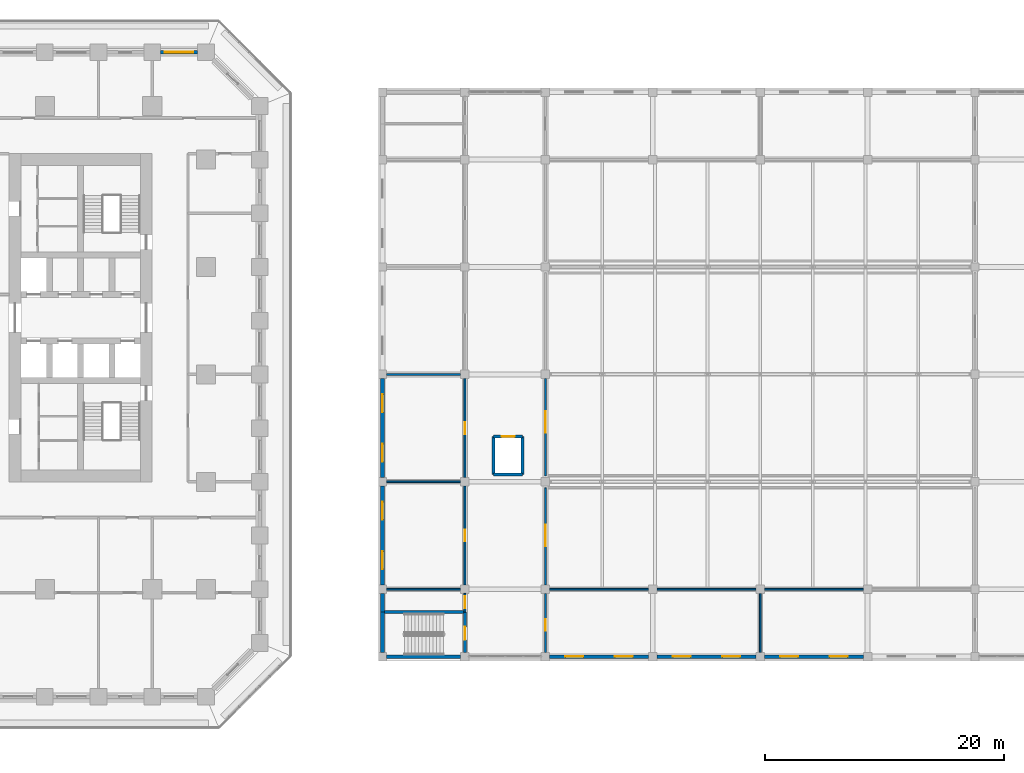
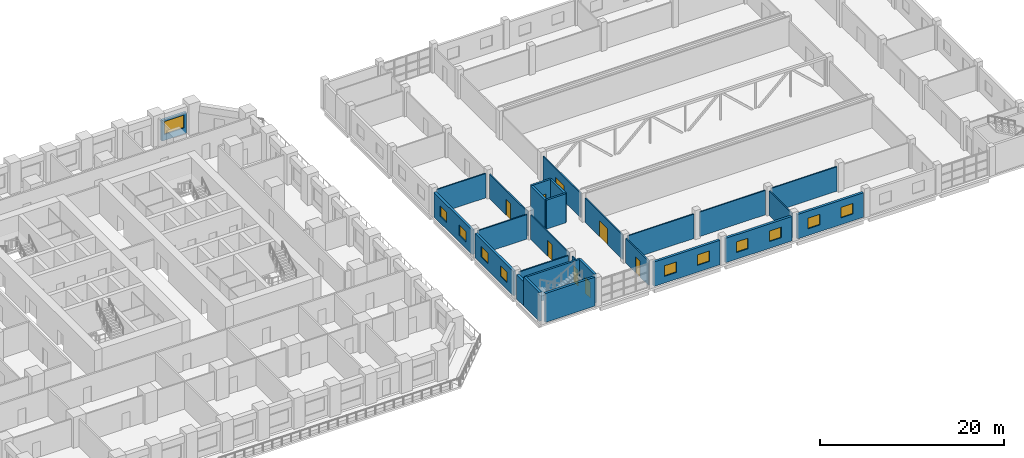
# One storey, part 31 of 42: 28 walls, 11 windows, 8 doors, 19 openings.
"""IFC4 building model written with IfcOpenShell, lengths in metres."""

from ifc_helpers import new_model, si_unit, direction, frame, frame_2d, origin, place, context, subcontext, project, spatial, rectangle, extrude, material, layer, layer_set, type_object, element, fill, save


model = new_model("IFC4")

# Units and contexts
model_context = context("Model", 3, precision=1e-05, world=origin(), true_north=direction((0.0, 1.0)))
body_context = subcontext(model_context, "Body", "Model", "MODEL_VIEW")
ifc_project = project(units=[si_unit("LENGTHUNIT", "METRE"), si_unit("AREAUNIT", "SQUARE_METRE"), si_unit("VOLUMEUNIT", "CUBIC_METRE"), si_unit("PLANEANGLEUNIT", "RADIAN"), si_unit("MASSUNIT", "GRAM", prefix="KILO")], contexts=[model_context])

# Site, building, storey
site_placement = place(None, origin())
site = spatial("IfcSite", under=ifc_project, at=site_placement, CompositionType="ELEMENT")
building_placement = place(site_placement, origin())
building = spatial("IfcBuilding", under=site, at=building_placement, Name="Corbel Stack Research Tower", CompositionType="ELEMENT")
storey_placement = place(building_placement, frame((0.0, 0.0, 11.300048828125)))
storey = spatial("IfcBuildingStorey", under=building, at=storey_placement, Name="L02", CompositionType="ELEMENT", Elevation=11.300048828125)

# Wall, openings, windows
ifc_material_1 = material(Name="Concrete C40/50", Category="concrete")
ifc_layer_1 = layer(ifc_material_1, 0.300048828125)
ifc_layer_set_1 = layer_set([ifc_layer_1], Name="Concrete C40/50")
wall_type_1 = type_object("IfcWallType", Name="HW1 exterior wall 300", PredefinedType="SOLIDWALL", material=ifc_layer_set_1)
wall_1_placement = place(storey_placement, frame((51.300048828125, -23.64990234375, 0.0), z_axis=(0.0, 0.0, 1.0), x_axis=(1.0, 0.0, 0.0)))
wall_1 = element("IfcWall", 1, at=wall_1_placement, inside=storey, type_object=wall_type_1, Name="Exterior wall L02 h-23.65/51.3", PredefinedType="SOLIDWALL", context=body_context, shape_type="SweptSolid", body=[
    extrude(rectangle(XDim=8.300048828125, YDim=0.300048828125, at=frame_2d((4.14990234375, 0.0))), origin(), (0.0, 0.0, 1.0), 3.25),
])
opening_1_placement = place(wall_1_placement, frame((1.324951171875, 0.0, 0.89990234375)))
opening_1 = element("IfcOpeningElement", 2, at=opening_1_placement, cuts=wall_1, Name="Opening HX1", PredefinedType="OPENING", context=body_context, shape_type="SweptSolid", body=[
    extrude(rectangle(XDim=1.5, YDim=1.39990234375, at=frame_2d((0.75, 0.699951171875))), frame((0.0, 0.159912109375, 0.0), z_axis=(0.0, -1.0, 0.0), x_axis=(1.0, 0.0, 0.0)), (0.0, 0.0, 1.0), 0.320068359375),
])
opening_2_placement = place(wall_1_placement, frame((5.47509765625, 0.0, 0.89990234375)))
opening_2 = element("IfcOpeningElement", 3, at=opening_2_placement, cuts=wall_1, Name="Opening HX1", PredefinedType="OPENING", context=body_context, shape_type="SweptSolid", body=[
    extrude(rectangle(XDim=1.5, YDim=1.39990234375, at=frame_2d((0.75, 0.699951171875))), frame((0.0, 0.159912109375, 0.0), z_axis=(0.0, -1.0, 0.0), x_axis=(1.0, 0.0, 0.0)), (0.0, 0.0, 1.0), 0.320068359375),
])
ifc_material_2 = material(Name="Glass and aluminium", Category="aluminium")
window_type_1 = type_object("IfcWindowType", Name="HW6 window 1500 x 1400", PartitioningType="SINGLE_PANEL", PredefinedType="WINDOW", material=ifc_material_2)
window_1_placement = place(opening_1_placement, origin())
window_1 = element("IfcWindow", 4, at=window_1_placement, inside=storey, type_object=window_type_1, Name="Window L02 Club room 1", OverallHeight=1.39990234375, OverallWidth=1.5, PartitioningType="SINGLE_PANEL", PredefinedType="WINDOW", context=body_context, shape_type="SweptSolid", body=[
    extrude(rectangle(XDim=1.5, YDim=1.39990234375, at=frame_2d((0.75, 0.699951171875))), frame((0.0, 0.030029296875, 0.0), z_axis=(0.0, -1.0, 0.0), x_axis=(1.0, 0.0, 0.0)), (0.0, 0.0, 1.0), 0.06005859375),
])
fill(opening_1, window_1)
window_2_placement = place(opening_2_placement, origin())
window_2 = element("IfcWindow", 5, at=window_2_placement, inside=storey, type_object=window_type_1, Name="Window L02 Club room 1", OverallHeight=1.39990234375, OverallWidth=1.5, PartitioningType="SINGLE_PANEL", PredefinedType="WINDOW", context=body_context, shape_type="SweptSolid", body=[
    extrude(rectangle(XDim=1.5, YDim=1.39990234375, at=frame_2d((0.75, 0.699951171875))), frame((0.0, 0.030029296875, 0.0), z_axis=(0.0, -1.0, 0.0), x_axis=(1.0, 0.0, 0.0)), (0.0, 0.0, 1.0), 0.06005859375),
])
fill(opening_2, window_2)

wall_2_placement = place(storey_placement, frame((60.300048828125, -23.64990234375, 0.0), z_axis=(0.0, 0.0, 1.0), x_axis=(1.0, 0.0, 0.0)))
wall_2 = element("IfcWall", 6, at=wall_2_placement, inside=storey, type_object=wall_type_1, Name="Exterior wall L02 h-23.65/60.3", PredefinedType="SOLIDWALL", context=body_context, shape_type="SweptSolid", body=[
    extrude(rectangle(XDim=8.300048828125, YDim=0.300048828125, at=frame_2d((4.14990234375, 0.0))), origin(), (0.0, 0.0, 1.0), 3.25),
])
opening_3_placement = place(wall_2_placement, frame((1.324951171875, 0.0, 0.89990234375)))
opening_3 = element("IfcOpeningElement", 7, at=opening_3_placement, cuts=wall_2, Name="Opening HX1", PredefinedType="OPENING", context=body_context, shape_type="SweptSolid", body=[
    extrude(rectangle(XDim=1.5, YDim=1.39990234375, at=frame_2d((0.75, 0.699951171875))), frame((0.0, 0.159912109375, 0.0), z_axis=(0.0, -1.0, 0.0), x_axis=(1.0, 0.0, 0.0)), (0.0, 0.0, 1.0), 0.320068359375),
])
opening_4_placement = place(wall_2_placement, frame((5.47509765625, 0.0, 0.89990234375)))
opening_4 = element("IfcOpeningElement", 8, at=opening_4_placement, cuts=wall_2, Name="Opening HX1", PredefinedType="OPENING", context=body_context, shape_type="SweptSolid", body=[
    extrude(rectangle(XDim=1.5, YDim=1.39990234375, at=frame_2d((0.75, 0.699951171875))), frame((0.0, 0.159912109375, 0.0), z_axis=(0.0, -1.0, 0.0), x_axis=(1.0, 0.0, 0.0)), (0.0, 0.0, 1.0), 0.320068359375),
])
window_3_placement = place(opening_3_placement, origin())
window_3 = element("IfcWindow", 9, at=window_3_placement, inside=storey, type_object=window_type_1, Name="Window L02 Club room 1", OverallHeight=1.39990234375, OverallWidth=1.5, PartitioningType="SINGLE_PANEL", PredefinedType="WINDOW", context=body_context, shape_type="SweptSolid", body=[
    extrude(rectangle(XDim=1.5, YDim=1.39990234375, at=frame_2d((0.75, 0.699951171875))), frame((0.0, 0.030029296875, 0.0), z_axis=(0.0, -1.0, 0.0), x_axis=(1.0, 0.0, 0.0)), (0.0, 0.0, 1.0), 0.06005859375),
])
fill(opening_3, window_3)
window_4_placement = place(opening_4_placement, origin())
window_4 = element("IfcWindow", 10, at=window_4_placement, inside=storey, type_object=window_type_1, Name="Window L02 Club room 1", OverallHeight=1.39990234375, OverallWidth=1.5, PartitioningType="SINGLE_PANEL", PredefinedType="WINDOW", context=body_context, shape_type="SweptSolid", body=[
    extrude(rectangle(XDim=1.5, YDim=1.39990234375, at=frame_2d((0.75, 0.699951171875))), frame((0.0, 0.030029296875, 0.0), z_axis=(0.0, -1.0, 0.0), x_axis=(1.0, 0.0, 0.0)), (0.0, 0.0, 1.0), 0.06005859375),
])
fill(opening_4, window_4)

wall_3_placement = place(storey_placement, frame((69.300048828125, -23.64990234375, 0.0), z_axis=(0.0, 0.0, 1.0), x_axis=(1.0, 0.0, 0.0)))
wall_3 = element("IfcWall", 11, at=wall_3_placement, inside=storey, type_object=wall_type_1, Name="Exterior wall L02 h-23.65/69.3", PredefinedType="SOLIDWALL", context=body_context, shape_type="SweptSolid", body=[
    extrude(rectangle(XDim=8.300048828125, YDim=0.300048828125, at=frame_2d((4.14990234375, 0.0))), origin(), (0.0, 0.0, 1.0), 3.25),
])
opening_5_placement = place(wall_3_placement, frame((1.324951171875, 0.0, 0.89990234375)))
opening_5 = element("IfcOpeningElement", 12, at=opening_5_placement, cuts=wall_3, Name="Opening HX1", PredefinedType="OPENING", context=body_context, shape_type="SweptSolid", body=[
    extrude(rectangle(XDim=1.5, YDim=1.39990234375, at=frame_2d((0.75, 0.699951171875))), frame((0.0, 0.159912109375, 0.0), z_axis=(0.0, -1.0, 0.0), x_axis=(1.0, 0.0, 0.0)), (0.0, 0.0, 1.0), 0.320068359375),
])
opening_6_placement = place(wall_3_placement, frame((5.47509765625, 0.0, 0.89990234375)))
opening_6 = element("IfcOpeningElement", 13, at=opening_6_placement, cuts=wall_3, Name="Opening HX1", PredefinedType="OPENING", context=body_context, shape_type="SweptSolid", body=[
    extrude(rectangle(XDim=1.5, YDim=1.39990234375, at=frame_2d((0.75, 0.699951171875))), frame((0.0, 0.159912109375, 0.0), z_axis=(0.0, -1.0, 0.0), x_axis=(1.0, 0.0, 0.0)), (0.0, 0.0, 1.0), 0.320068359375),
])
window_5_placement = place(opening_5_placement, origin())
window_5 = element("IfcWindow", 14, at=window_5_placement, inside=storey, type_object=window_type_1, Name="Window L02 Club room 2", OverallHeight=1.39990234375, OverallWidth=1.5, PartitioningType="SINGLE_PANEL", PredefinedType="WINDOW", context=body_context, shape_type="SweptSolid", body=[
    extrude(rectangle(XDim=1.5, YDim=1.39990234375, at=frame_2d((0.75, 0.699951171875))), frame((0.0, 0.030029296875, 0.0), z_axis=(0.0, -1.0, 0.0), x_axis=(1.0, 0.0, 0.0)), (0.0, 0.0, 1.0), 0.06005859375),
])
fill(opening_5, window_5)
window_6_placement = place(opening_6_placement, origin())
window_6 = element("IfcWindow", 15, at=window_6_placement, inside=storey, type_object=window_type_1, Name="Window L02 Club room 2", OverallHeight=1.39990234375, OverallWidth=1.5, PartitioningType="SINGLE_PANEL", PredefinedType="WINDOW", context=body_context, shape_type="SweptSolid", body=[
    extrude(rectangle(XDim=1.5, YDim=1.39990234375, at=frame_2d((0.75, 0.699951171875))), frame((0.0, 0.030029296875, 0.0), z_axis=(0.0, -1.0, 0.0), x_axis=(1.0, 0.0, 0.0)), (0.0, 0.0, 1.0), 0.06005859375),
])
fill(opening_6, window_6)

# Wall
wall_4_placement = place(storey_placement, frame((37.300048828125, -19.925048828125, 0.0), z_axis=(0.0, 0.0, 1.0), x_axis=(0.0, 1.0, 0.0)))
element("IfcWall", 16, at=wall_4_placement, inside=storey, type_object=wall_type_1, Name="Exterior wall L02 v37.30/-19.9", PredefinedType="SOLIDWALL", context=body_context, shape_type="SweptSolid", body=[
    extrude(rectangle(XDim=1.574951171875, YDim=0.300048828125, at=frame_2d((0.78759765625, 0.0))), origin(), (0.0, 0.0, 1.0), 3.25),
])

# Wall, openings, windows
wall_5_placement = place(storey_placement, frame((37.300048828125, -17.64990234375, 0.0), z_axis=(0.0, 0.0, 1.0), x_axis=(0.0, 1.0, 0.0)))
wall_5 = element("IfcWall", 17, at=wall_5_placement, inside=storey, type_object=wall_type_1, Name="Exterior wall L02 v37.30/-17.6", PredefinedType="SOLIDWALL", context=body_context, shape_type="SweptSolid", body=[
    extrude(rectangle(XDim=8.2998046875, YDim=0.300048828125, at=frame_2d((4.14990234375, 0.0))), origin(), (0.0, 0.0, 1.0), 3.25),
])
opening_7_placement = place(wall_5_placement, frame((1.324951171875, 0.0, 0.89990234375)))
opening_7 = element("IfcOpeningElement", 18, at=opening_7_placement, cuts=wall_5, Name="Opening HX1", PredefinedType="OPENING", context=body_context, shape_type="SweptSolid", body=[
    extrude(rectangle(XDim=1.5, YDim=1.39990234375, at=frame_2d((0.75, 0.699951171875))), frame((0.0, 0.159912109375, 0.0), z_axis=(0.0, -1.0, 0.0), x_axis=(1.0, 0.0, 0.0)), (0.0, 0.0, 1.0), 0.320068359375),
])
opening_8_placement = place(wall_5_placement, frame((5.47509765625, 0.0, 0.89990234375)))
opening_8 = element("IfcOpeningElement", 19, at=opening_8_placement, cuts=wall_5, Name="Opening HX1", PredefinedType="OPENING", context=body_context, shape_type="SweptSolid", body=[
    extrude(rectangle(XDim=1.5, YDim=1.39990234375, at=frame_2d((0.75, 0.699951171875))), frame((0.0, 0.159912109375, 0.0), z_axis=(0.0, -1.0, 0.0), x_axis=(1.0, 0.0, 0.0)), (0.0, 0.0, 1.0), 0.320068359375),
])
window_7_placement = place(opening_7_placement, origin())
window_7 = element("IfcWindow", 20, at=window_7_placement, inside=storey, type_object=window_type_1, Name="Window L02 Office 1", OverallHeight=1.39990234375, OverallWidth=1.5, PartitioningType="SINGLE_PANEL", PredefinedType="WINDOW", context=body_context, shape_type="SweptSolid", body=[
    extrude(rectangle(XDim=1.5, YDim=1.39990234375, at=frame_2d((0.75, 0.699951171875))), frame((0.0, 0.030029296875, 0.0), z_axis=(0.0, -1.0, 0.0), x_axis=(1.0, 0.0, 0.0)), (0.0, 0.0, 1.0), 0.06005859375),
])
fill(opening_7, window_7)
window_8_placement = place(opening_8_placement, origin())
window_8 = element("IfcWindow", 21, at=window_8_placement, inside=storey, type_object=window_type_1, Name="Window L02 Office 1", OverallHeight=1.39990234375, OverallWidth=1.5, PartitioningType="SINGLE_PANEL", PredefinedType="WINDOW", context=body_context, shape_type="SweptSolid", body=[
    extrude(rectangle(XDim=1.5, YDim=1.39990234375, at=frame_2d((0.75, 0.699951171875))), frame((0.0, 0.030029296875, 0.0), z_axis=(0.0, -1.0, 0.0), x_axis=(1.0, 0.0, 0.0)), (0.0, 0.0, 1.0), 0.06005859375),
])
fill(opening_8, window_8)

wall_6_placement = place(storey_placement, frame((37.300048828125, -8.64990234375, 0.0), z_axis=(0.0, 0.0, 1.0), x_axis=(0.0, 1.0, 0.0)))
wall_6 = element("IfcWall", 22, at=wall_6_placement, inside=storey, type_object=wall_type_1, Name="Exterior wall L02 v37.30/-8.7", PredefinedType="SOLIDWALL", context=body_context, shape_type="SweptSolid", body=[
    extrude(rectangle(XDim=8.2998046875, YDim=0.300048828125, at=frame_2d((4.14990234375, 0.0))), origin(), (0.0, 0.0, 1.0), 3.25),
])
opening_9_placement = place(wall_6_placement, frame((1.324951171875, 0.0, 0.89990234375)))
opening_9 = element("IfcOpeningElement", 23, at=opening_9_placement, cuts=wall_6, Name="Opening HX1", PredefinedType="OPENING", context=body_context, shape_type="SweptSolid", body=[
    extrude(rectangle(XDim=1.5, YDim=1.39990234375, at=frame_2d((0.75, 0.699951171875))), frame((0.0, 0.159912109375, 0.0), z_axis=(0.0, -1.0, 0.0), x_axis=(1.0, 0.0, 0.0)), (0.0, 0.0, 1.0), 0.320068359375),
])
opening_10_placement = place(wall_6_placement, frame((5.47509765625, 0.0, 0.89990234375)))
opening_10 = element("IfcOpeningElement", 24, at=opening_10_placement, cuts=wall_6, Name="Opening HX1", PredefinedType="OPENING", context=body_context, shape_type="SweptSolid", body=[
    extrude(rectangle(XDim=1.5, YDim=1.39990234375, at=frame_2d((0.75, 0.699951171875))), frame((0.0, 0.159912109375, 0.0), z_axis=(0.0, -1.0, 0.0), x_axis=(1.0, 0.0, 0.0)), (0.0, 0.0, 1.0), 0.320068359375),
])
window_9_placement = place(opening_9_placement, origin())
window_9 = element("IfcWindow", 25, at=window_9_placement, inside=storey, type_object=window_type_1, Name="Window L02 Office 2", OverallHeight=1.39990234375, OverallWidth=1.5, PartitioningType="SINGLE_PANEL", PredefinedType="WINDOW", context=body_context, shape_type="SweptSolid", body=[
    extrude(rectangle(XDim=1.5, YDim=1.39990234375, at=frame_2d((0.75, 0.699951171875))), frame((0.0, 0.030029296875, 0.0), z_axis=(0.0, -1.0, 0.0), x_axis=(1.0, 0.0, 0.0)), (0.0, 0.0, 1.0), 0.06005859375),
])
fill(opening_9, window_9)
window_10_placement = place(opening_10_placement, origin())
window_10 = element("IfcWindow", 26, at=window_10_placement, inside=storey, type_object=window_type_1, Name="Window L02 Office 2", OverallHeight=1.39990234375, OverallWidth=1.5, PartitioningType="SINGLE_PANEL", PredefinedType="WINDOW", context=body_context, shape_type="SweptSolid", body=[
    extrude(rectangle(XDim=1.5, YDim=1.39990234375, at=frame_2d((0.75, 0.699951171875))), frame((0.0, 0.030029296875, 0.0), z_axis=(0.0, -1.0, 0.0), x_axis=(1.0, 0.0, 0.0)), (0.0, 0.0, 1.0), 0.06005859375),
])
fill(opening_10, window_10)

# Walls
ifc_material_3 = material(Name="Concrete C40/50", Category="concrete")
ifc_layer_2 = layer(ifc_material_3, 0.25)
ifc_layer_set_2 = layer_set([ifc_layer_2], Name="Concrete C40/50")
wall_type_2 = type_object("IfcWallType", Name="HW2 core wall C40/50 250", PredefinedType="SHEAR", material=ifc_layer_set_2)
wall_7_placement = place(storey_placement, frame((37.300048828125, -19.925048828125, 0.0), z_axis=(0.0, 0.0, 1.0), x_axis=(1.0, 0.0, 0.0)))
element("IfcWall", 27, at=wall_7_placement, inside=storey, type_object=wall_type_2, Name="Wall L02 h-19.93/37.3", PredefinedType="SHEAR", context=body_context, shape_type="SweptSolid", body=[
    extrude(rectangle(XDim=6.89990234375, YDim=0.25, at=frame_2d((3.449951171875, 0.0))), origin(), (0.0, 0.0, 1.0), 3.849853515625),
])
wall_8_placement = place(storey_placement, frame((46.60009765625, -8.39990234375, 0.0), z_axis=(0.0, 0.0, 1.0), x_axis=(1.0, 0.0, 0.0)))
element("IfcWall", 28, at=wall_8_placement, inside=storey, type_object=wall_type_2, Name="Wall L02 h-8.40/46.6", PredefinedType="SHEAR", context=body_context, shape_type="SweptSolid", body=[
    extrude(rectangle(XDim=2.449951171875, YDim=0.25, at=frame_2d((1.22509765625, 0.0))), origin(), (0.0, 0.0, 1.0), 3.849853515625),
])

# Wall, opening, door
wall_9_placement = place(storey_placement, frame((46.60009765625, -5.199951171875, 0.0), z_axis=(0.0, 0.0, 1.0), x_axis=(1.0, 0.0, 0.0)))
wall_9 = element("IfcWall", 29, at=wall_9_placement, inside=storey, type_object=wall_type_2, Name="Wall L02 h-5.20/46.6", PredefinedType="SHEAR", context=body_context, shape_type="SweptSolid", body=[
    extrude(rectangle(XDim=2.449951171875, YDim=0.25, at=frame_2d((1.22509765625, 0.0))), origin(), (0.0, 0.0, 1.0), 3.849853515625),
])
opening_11_placement = place(wall_9_placement, frame((0.675048828125, 0.0, 0.0)))
opening_11 = element("IfcOpeningElement", 30, at=opening_11_placement, cuts=wall_9, Name="Opening H2-01", PredefinedType="OPENING", context=body_context, shape_type="SweptSolid", body=[
    extrude(rectangle(XDim=1.10009765625, YDim=2.10009765625, at=frame_2d((0.550048828125, 1.050048828125))), frame((0.0, 0.135009765625, 0.0), z_axis=(0.0, -1.0, 0.0), x_axis=(1.0, 0.0, 0.0)), (0.0, 0.0, 1.0), 0.27001953125),
])
ifc_material_4 = material(Name="Timber", Category="wood")
door_type_1 = type_object("IfcDoorType", Name="HD5 lift landing door 1100 x 2100", OperationType="DOUBLE_DOOR_SLIDING", PredefinedType="DOOR", material=ifc_material_4)
door_1_placement = place(opening_11_placement, origin())
door_1 = element("IfcDoor", 31, at=door_1_placement, inside=storey, type_object=door_type_1, Name="Lift landing door H2-01", OperationType="DOUBLE_DOOR_SLIDING", OverallHeight=2.10009765625, OverallWidth=1.10009765625, PredefinedType="DOOR", context=body_context, shape_type="SweptSolid", body=[
    extrude(rectangle(XDim=1.10009765625, YDim=2.10009765625, at=frame_2d((0.550048828125, 1.050048828125))), frame((0.0, 0.02490234375, 0.0), z_axis=(0.0, -1.0, 0.0), x_axis=(1.0, 0.0, 0.0)), (0.0, 0.0, 1.0), 0.050048828125),
])
fill(opening_11, door_1)

wall_10_placement = place(storey_placement, frame((44.199951171875, -19.925048828125, 0.0), z_axis=(0.0, 0.0, 1.0), x_axis=(0.0, -1.0, 0.0)))
wall_10 = element("IfcWall", 32, at=wall_10_placement, inside=storey, type_object=wall_type_2, Name="Wall L02 v44.20/-23.3", PredefinedType="SHEAR", context=body_context, shape_type="SweptSolid", body=[
    extrude(rectangle(XDim=3.375, YDim=0.25, at=frame_2d((1.6875, 0.0))), origin(), (0.0, 0.0, 1.0), 3.849853515625),
])
opening_12_placement = place(wall_10_placement, frame((1.22509765625, 0.0, 0.0)))
opening_12 = element("IfcOpeningElement", 33, at=opening_12_placement, cuts=wall_10, Name="Opening H2-02", PredefinedType="OPENING", context=body_context, shape_type="SweptSolid", body=[
    extrude(rectangle(XDim=1.10009765625, YDim=2.10009765625, at=frame_2d((0.550048828125, 1.050048828125))), frame((0.0, 0.135009765625, 0.0), z_axis=(0.0, -1.0, 0.0), x_axis=(1.0, 0.0, 0.0)), (0.0, 0.0, 1.0), 0.27001953125),
])
ifc_material_5 = material(Name="Steel", Category="steel")
door_type_2 = type_object("IfcDoorType", Name="HD4 fire door 1100 x 2100", OperationType="NOTDEFINED", PredefinedType="DOOR", material=ifc_material_5)
door_2_placement = place(opening_12_placement, origin())
door_2 = element("IfcDoor", 34, at=door_2_placement, inside=storey, type_object=door_type_2, Name="Door H2-02", OperationType="SINGLE_SWING_LEFT", OverallHeight=2.10009765625, OverallWidth=1.10009765625, PredefinedType="DOOR", context=body_context, shape_type="SweptSolid", body=[
    extrude(rectangle(XDim=1.10009765625, YDim=2.10009765625, at=frame_2d((0.550048828125, 1.050048828125))), frame((0.0, 0.02490234375, 0.0), z_axis=(0.0, -1.0, 0.0), x_axis=(1.0, 0.0, 0.0)), (0.0, 0.0, 1.0), 0.050048828125),
])
fill(opening_12, door_2)

# Walls
for number, where, z_axis, x_axis, name in (
    (35, (46.60009765625, -8.39990234375, 0.0), (0.0, 0.0, 1.0), (0.0, 1.0, 0.0), "Wall L02 v46.60/-8.4"),
    (36, (49.050048828125, -8.39990234375, 0.0), (0.0, 0.0, 1.0), (0.0, 1.0, 0.0), "Wall L02 v49.05/-8.4"),
):
    element("IfcWall", number, at=place(storey_placement, frame(where, z_axis=z_axis, x_axis=x_axis)), inside=storey, type_object=wall_type_2, Name=name, PredefinedType="SHEAR", context=body_context, shape_type="SweptSolid", body=[
        extrude(rectangle(XDim=3.199951171875, YDim=0.25, at=frame_2d((1.60009765625, 0.0))), origin(), (0.0, 0.0, 1.0), 3.849853515625),
    ])
ifc_material_6 = material(Name="Concrete masonry unit", Category="masonry")
ifc_layer_3 = layer(ifc_material_6, 0.14990234375)
ifc_layer_set_3 = layer_set([ifc_layer_3], Name="Concrete masonry unit")
wall_type_3 = type_object("IfcWallType", Name="HW3 partition 150", PredefinedType="PARTITIONING", material=ifc_layer_set_3)
wall_11_placement = place(storey_placement, frame((37.64990234375, -18.0, 0.0), z_axis=(0.0, 0.0, 1.0), x_axis=(1.0, 0.0, 0.0)))
element("IfcWall", 37, at=wall_11_placement, inside=storey, type_object=wall_type_3, Name="Wall L02 h-18.00/37.6", PredefinedType="PARTITIONING", context=body_context, shape_type="SweptSolid", body=[
    extrude(rectangle(XDim=6.2001953125, YDim=0.14990234375, at=frame_2d((3.10009765625, 0.0))), origin(), (0.0, 0.0, 1.0), 3.25),
])
for number, where, z_axis, x_axis, name in (
    (38, (51.300048828125, -18.0, 0.0), (0.0, 0.0, 1.0), (1.0, 0.0, 0.0), "Wall L02 h-18.00/51.3"),
    (39, (60.300048828125, -18.0, 0.0), (0.0, 0.0, 1.0), (1.0, 0.0, 0.0), "Wall L02 h-18.00/60.3"),
    (40, (69.300048828125, -18.0, 0.0), (0.0, 0.0, 1.0), (1.0, 0.0, 0.0), "Wall L02 h-18.00/69.3"),
):
    element("IfcWall", number, at=place(storey_placement, frame(where, z_axis=z_axis, x_axis=x_axis)), inside=storey, type_object=wall_type_3, Name=name, PredefinedType="PARTITIONING", context=body_context, shape_type="SweptSolid", body=[
        extrude(rectangle(XDim=8.300048828125, YDim=0.14990234375, at=frame_2d((4.14990234375, 0.0))), origin(), (0.0, 0.0, 1.0), 3.25),
    ])
for number, where, z_axis, x_axis, name in (
    (41, (37.64990234375, -9.0, 0.0), (0.0, 0.0, 1.0), (1.0, 0.0, 0.0), "Wall L02 h-9.00/37.6"),
    (42, (37.64990234375, 0.0, 0.0), (0.0, 0.0, 1.0), (1.0, 0.0, 0.0), "Wall L02 h0.00/37.6"),
):
    element("IfcWall", number, at=place(storey_placement, frame(where, z_axis=z_axis, x_axis=x_axis)), inside=storey, type_object=wall_type_3, Name=name, PredefinedType="PARTITIONING", context=body_context, shape_type="SweptSolid", body=[
        extrude(rectangle(XDim=6.2001953125, YDim=0.14990234375, at=frame_2d((3.10009765625, 0.0))), origin(), (0.0, 0.0, 1.0), 3.25),
    ])

# Wall, opening, door
wall_12_placement = place(storey_placement, frame((44.199951171875, -19.925048828125, 0.0), z_axis=(0.0, 0.0, 1.0), x_axis=(0.0, 1.0, 0.0)))
wall_12 = element("IfcWall", 43, at=wall_12_placement, inside=storey, type_object=wall_type_3, Name="Wall L02 v44.20/-19.9", PredefinedType="PARTITIONING", context=body_context, shape_type="SweptSolid", body=[
    extrude(rectangle(XDim=1.574951171875, YDim=0.14990234375, at=frame_2d((0.78759765625, 0.0))), origin(), (0.0, 0.0, 1.0), 3.25),
])
opening_13_placement = place(wall_12_placement, frame((0.324951171875, 0.0, 0.0)))
opening_13 = element("IfcOpeningElement", 44, at=opening_13_placement, cuts=wall_12, Name="Opening H2-03", PredefinedType="OPENING", context=body_context, shape_type="SweptSolid", body=[
    extrude(rectangle(XDim=1.0, YDim=2.10009765625, at=frame_2d((0.5, 1.050048828125))), frame((0.0, 0.0849609375, 0.0), z_axis=(0.0, -1.0, 0.0), x_axis=(1.0, 0.0, 0.0)), (0.0, 0.0, 1.0), 0.169921875),
])
ifc_material_7 = material(Name="Timber", Category="wood")
door_type_3 = type_object("IfcDoorType", Name="HD1 single door 1000 x 2100", OperationType="NOTDEFINED", PredefinedType="DOOR", material=ifc_material_7)
door_3_placement = place(opening_13_placement, origin())
door_3 = element("IfcDoor", 45, at=door_3_placement, inside=storey, type_object=door_type_3, Name="Door H2-03", OperationType="SINGLE_SWING_RIGHT", OverallHeight=2.10009765625, OverallWidth=1.0, PredefinedType="DOOR", context=body_context, shape_type="SweptSolid", body=[
    extrude(rectangle(XDim=1.0, YDim=2.10009765625, at=frame_2d((0.5, 1.050048828125))), frame((0.0, 0.02490234375, 0.0), z_axis=(0.0, -1.0, 0.0), x_axis=(1.0, 0.0, 0.0)), (0.0, 0.0, 1.0), 0.050048828125),
])
fill(opening_13, door_3)

wall_13_placement = place(storey_placement, frame((44.199951171875, -17.64990234375, 0.0), z_axis=(0.0, 0.0, 1.0), x_axis=(0.0, 1.0, 0.0)))
wall_13 = element("IfcWall", 46, at=wall_13_placement, inside=storey, type_object=wall_type_3, Name="Wall L02 v44.20/-17.6", PredefinedType="PARTITIONING", context=body_context, shape_type="SweptSolid", body=[
    extrude(rectangle(XDim=8.2998046875, YDim=0.14990234375, at=frame_2d((4.14990234375, 0.0))), origin(), (0.0, 0.0, 1.0), 3.25),
])
opening_14_placement = place(wall_13_placement, frame((3.64990234375, 0.0, 0.0)))
opening_14 = element("IfcOpeningElement", 47, at=opening_14_placement, cuts=wall_13, Name="Opening H2-04", PredefinedType="OPENING", context=body_context, shape_type="SweptSolid", body=[
    extrude(rectangle(XDim=1.0, YDim=2.10009765625, at=frame_2d((0.5, 1.050048828125))), frame((0.0, 0.0849609375, 0.0), z_axis=(0.0, -1.0, 0.0), x_axis=(1.0, 0.0, 0.0)), (0.0, 0.0, 1.0), 0.169921875),
])
door_4_placement = place(opening_14_placement, origin())
door_4 = element("IfcDoor", 48, at=door_4_placement, inside=storey, type_object=door_type_3, Name="Door H2-04", OperationType="SINGLE_SWING_LEFT", OverallHeight=2.10009765625, OverallWidth=1.0, PredefinedType="DOOR", context=body_context, shape_type="SweptSolid", body=[
    extrude(rectangle(XDim=1.0, YDim=2.10009765625, at=frame_2d((0.5, 1.050048828125))), frame((0.0, 0.02490234375, 0.0), z_axis=(0.0, -1.0, 0.0), x_axis=(1.0, 0.0, 0.0)), (0.0, 0.0, 1.0), 0.050048828125),
])
fill(opening_14, door_4)

wall_14_placement = place(storey_placement, frame((44.199951171875, -8.64990234375, 0.0), z_axis=(0.0, 0.0, 1.0), x_axis=(0.0, 1.0, 0.0)))
wall_14 = element("IfcWall", 49, at=wall_14_placement, inside=storey, type_object=wall_type_3, Name="Wall L02 v44.20/-8.7", PredefinedType="PARTITIONING", context=body_context, shape_type="SweptSolid", body=[
    extrude(rectangle(XDim=8.2998046875, YDim=0.14990234375, at=frame_2d((4.14990234375, 0.0))), origin(), (0.0, 0.0, 1.0), 3.25),
])
opening_15_placement = place(wall_14_placement, frame((3.64990234375, 0.0, 0.0)))
opening_15 = element("IfcOpeningElement", 50, at=opening_15_placement, cuts=wall_14, Name="Opening H2-05", PredefinedType="OPENING", context=body_context, shape_type="SweptSolid", body=[
    extrude(rectangle(XDim=1.0, YDim=2.10009765625, at=frame_2d((0.5, 1.050048828125))), frame((0.0, 0.0849609375, 0.0), z_axis=(0.0, -1.0, 0.0), x_axis=(1.0, 0.0, 0.0)), (0.0, 0.0, 1.0), 0.169921875),
])
door_5_placement = place(opening_15_placement, origin())
door_5 = element("IfcDoor", 51, at=door_5_placement, inside=storey, type_object=door_type_3, Name="Door H2-05", OperationType="SINGLE_SWING_RIGHT", OverallHeight=2.10009765625, OverallWidth=1.0, PredefinedType="DOOR", context=body_context, shape_type="SweptSolid", body=[
    extrude(rectangle(XDim=1.0, YDim=2.10009765625, at=frame_2d((0.5, 1.050048828125))), frame((0.0, 0.02490234375, 0.0), z_axis=(0.0, -1.0, 0.0), x_axis=(1.0, 0.0, 0.0)), (0.0, 0.0, 1.0), 0.050048828125),
])
fill(opening_15, door_5)

wall_15_placement = place(storey_placement, frame((50.949951171875, -18.35009765625, 0.0), z_axis=(0.0, 0.0, 1.0), x_axis=(0.0, -1.0, 0.0)))
wall_15 = element("IfcWall", 52, at=wall_15_placement, inside=storey, type_object=wall_type_3, Name="Wall L02 v50.95/-23.3", PredefinedType="PARTITIONING", context=body_context, shape_type="SweptSolid", body=[
    extrude(rectangle(XDim=4.949951171875, YDim=0.14990234375, at=frame_2d((2.47509765625, 0.0))), origin(), (0.0, 0.0, 1.0), 3.25),
])
opening_16_placement = place(wall_15_placement, frame((2.14990234375, 0.0, 0.0)))
opening_16 = element("IfcOpeningElement", 53, at=opening_16_placement, cuts=wall_15, Name="Opening H2-10", PredefinedType="OPENING", context=body_context, shape_type="SweptSolid", body=[
    extrude(rectangle(XDim=1.0, YDim=2.10009765625, at=frame_2d((0.5, 1.050048828125))), frame((0.0, 0.0849609375, 0.0), z_axis=(0.0, -1.0, 0.0), x_axis=(1.0, 0.0, 0.0)), (0.0, 0.0, 1.0), 0.169921875),
])
door_6_placement = place(opening_16_placement, origin())
door_6 = element("IfcDoor", 54, at=door_6_placement, inside=storey, type_object=door_type_3, Name="Door H2-10", OperationType="SINGLE_SWING_LEFT", OverallHeight=2.10009765625, OverallWidth=1.0, PredefinedType="DOOR", context=body_context, shape_type="SweptSolid", body=[
    extrude(rectangle(XDim=1.0, YDim=2.10009765625, at=frame_2d((0.5, 1.050048828125))), frame((0.0, 0.02490234375, 0.0), z_axis=(0.0, -1.0, 0.0), x_axis=(1.0, 0.0, 0.0)), (0.0, 0.0, 1.0), 0.050048828125),
])
fill(opening_16, door_6)

wall_16_placement = place(storey_placement, frame((50.949951171875, -17.64990234375, 0.0), z_axis=(0.0, 0.0, 1.0), x_axis=(0.0, 1.0, 0.0)))
wall_16 = element("IfcWall", 55, at=wall_16_placement, inside=storey, type_object=wall_type_3, Name="Wall L02 v50.95/-17.6", PredefinedType="PARTITIONING", context=body_context, shape_type="SweptSolid", body=[
    extrude(rectangle(XDim=8.14990234375, YDim=0.14990234375, at=frame_2d((4.074951171875, 0.0))), origin(), (0.0, 0.0, 1.0), 3.25),
])
opening_17_placement = place(wall_16_placement, frame((3.25, 0.0, 0.0)))
opening_17 = element("IfcOpeningElement", 56, at=opening_17_placement, cuts=wall_16, Name="Opening H2-11", PredefinedType="OPENING", context=body_context, shape_type="SweptSolid", body=[
    extrude(rectangle(XDim=1.800048828125, YDim=2.10009765625, at=frame_2d((0.89990234375, 1.050048828125))), frame((0.0, 0.0849609375, 0.0), z_axis=(0.0, -1.0, 0.0), x_axis=(1.0, 0.0, 0.0)), (0.0, 0.0, 1.0), 0.169921875),
])
ifc_material_8 = material(Name="Timber", Category="wood")
door_type_4 = type_object("IfcDoorType", Name="HD2 double door 1800 x 2100", OperationType="DOUBLE_DOOR_SINGLE_SWING", PredefinedType="DOOR", material=ifc_material_8)
door_7_placement = place(opening_17_placement, origin())
door_7 = element("IfcDoor", 57, at=door_7_placement, inside=storey, type_object=door_type_4, Name="Door H2-11", OperationType="DOUBLE_DOOR_SINGLE_SWING", OverallHeight=2.10009765625, OverallWidth=1.800048828125, PredefinedType="DOOR", context=body_context, shape_type="SweptSolid", body=[
    extrude(rectangle(XDim=1.800048828125, YDim=2.10009765625, at=frame_2d((0.89990234375, 1.050048828125))), frame((0.0, 0.02490234375, 0.0), z_axis=(0.0, -1.0, 0.0), x_axis=(1.0, 0.0, 0.0)), (0.0, 0.0, 1.0), 0.050048828125),
])
fill(opening_17, door_7)

wall_17_placement = place(storey_placement, frame((50.949951171875, -8.5, 0.0), z_axis=(0.0, 0.0, 1.0), x_axis=(0.0, 1.0, 0.0)))
wall_17 = element("IfcWall", 58, at=wall_17_placement, inside=storey, type_object=wall_type_3, Name="Wall L02 v50.95/-8.5", PredefinedType="PARTITIONING", context=body_context, shape_type="SweptSolid", body=[
    extrude(rectangle(XDim=8.14990234375, YDim=0.14990234375, at=frame_2d((4.074951171875, 0.0))), origin(), (0.0, 0.0, 1.0), 3.25),
])
opening_18_placement = place(wall_17_placement, frame((3.60009765625, 0.0, 0.0)))
opening_18 = element("IfcOpeningElement", 59, at=opening_18_placement, cuts=wall_17, Name="Opening H2-12", PredefinedType="OPENING", context=body_context, shape_type="SweptSolid", body=[
    extrude(rectangle(XDim=1.800048828125, YDim=2.10009765625, at=frame_2d((0.89990234375, 1.050048828125))), frame((0.0, 0.0849609375, 0.0), z_axis=(0.0, -1.0, 0.0), x_axis=(1.0, 0.0, 0.0)), (0.0, 0.0, 1.0), 0.169921875),
])
door_8_placement = place(opening_18_placement, origin())
door_8 = element("IfcDoor", 60, at=door_8_placement, inside=storey, type_object=door_type_4, Name="Door H2-12", OperationType="DOUBLE_DOOR_SINGLE_SWING", OverallHeight=2.10009765625, OverallWidth=1.800048828125, PredefinedType="DOOR", context=body_context, shape_type="SweptSolid", body=[
    extrude(rectangle(XDim=1.800048828125, YDim=2.10009765625, at=frame_2d((0.89990234375, 1.050048828125))), frame((0.0, 0.02490234375, 0.0), z_axis=(0.0, -1.0, 0.0), x_axis=(1.0, 0.0, 0.0)), (0.0, 0.0, 1.0), 0.050048828125),
])
fill(opening_18, door_8)

# Walls
wall_18_placement = place(storey_placement, frame((68.949951171875, -23.300048828125, 0.0), z_axis=(0.0, 0.0, 1.0), x_axis=(0.0, 1.0, 0.0)))
element("IfcWall", 61, at=wall_18_placement, inside=storey, type_object=wall_type_3, Name="Wall L02 v68.95/-23.3", PredefinedType="PARTITIONING", context=body_context, shape_type="SweptSolid", body=[
    extrude(rectangle(XDim=4.949951171875, YDim=0.14990234375, at=frame_2d((2.47509765625, 0.0))), origin(), (0.0, 0.0, 1.0), 3.25),
])
ifc_material_9 = material(Name="Concrete C40/50", Category="concrete")
ifc_layer_4 = layer(ifc_material_9, 0.300048828125)
ifc_layer_set_4 = layer_set([ifc_layer_4], Name="Concrete C40/50")
wall_type_4 = type_object("IfcWallType", Name="HW6 exterior wall C40/50 300", PredefinedType="SHEAR", material=ifc_layer_set_4)
wall_19_placement = place(storey_placement, frame((37.64990234375, -23.64990234375, 0.0), z_axis=(0.0, 0.0, 1.0), x_axis=(1.0, 0.0, 0.0)))
element("IfcWall", 62, at=wall_19_placement, inside=storey, type_object=wall_type_4, Name="Exterior wall L02 h-23.65/37.6", PredefinedType="SHEAR", context=body_context, shape_type="SweptSolid", body=[
    extrude(rectangle(XDim=6.2001953125, YDim=0.300048828125, at=frame_2d((3.10009765625, 0.0))), origin(), (0.0, 0.0, 1.0), 3.849853515625),
])
wall_20_placement = place(storey_placement, frame((37.300048828125, -23.300048828125, 0.0), z_axis=(0.0, 0.0, 1.0), x_axis=(0.0, 1.0, 0.0)))
element("IfcWall", 63, at=wall_20_placement, inside=storey, type_object=wall_type_4, Name="Exterior wall L02 v37.30/-23.3", PredefinedType="SHEAR", context=body_context, shape_type="SweptSolid", body=[
    extrude(rectangle(XDim=3.375, YDim=0.300048828125, at=frame_2d((1.6875, 0.0))), origin(), (0.0, 0.0, 1.0), 3.849853515625),
])

# Wall, opening, window
ifc_material_10 = material(Name="Concrete C45/55", Category="concrete")
ifc_layer_5 = layer(ifc_material_10, 0.300048828125)
ifc_layer_set_5 = layer_set([ifc_layer_5], Name="Concrete C45/55")
wall_type_5 = type_object("IfcWallType", Name="Terracotta-faced concrete wall 300", PredefinedType="SOLIDWALL", material=ifc_layer_set_5)
wall_21_placement = place(storey_placement, frame((18.699951171875, 27.0, 0.0), z_axis=(0.0, 0.0, 1.0), x_axis=(1.0, 0.0, 0.0)))
wall_21 = element("IfcWall", 64, at=wall_21_placement, inside=storey, type_object=wall_type_5, Name="Facade wall L02 N01", PredefinedType="SOLIDWALL", context=body_context, shape_type="SweptSolid", body=[
    extrude(rectangle(XDim=3.10009765625, YDim=0.300048828125, at=frame_2d((1.550048828125, 0.0))), origin(), (0.0, 0.0, 1.0), 2.75),
])
opening_19_placement = place(wall_21_placement, frame((0.35009765625, 0.0, 0.800048828125)))
opening_19 = element("IfcOpeningElement", 65, at=opening_19_placement, cuts=wall_21, Name="Opening W1", PredefinedType="OPENING", context=body_context, shape_type="SweptSolid", body=[
    extrude(rectangle(XDim=2.39990234375, YDim=1.699951171875, at=frame_2d((1.199951171875, 0.85009765625))), frame((0.0, 0.159912109375, 0.0), z_axis=(0.0, -1.0, 0.0), x_axis=(1.0, 0.0, 0.0)), (0.0, 0.0, 1.0), 0.320068359375),
])
ifc_material_11 = material(Name="Aluminium frame, clear double glazing", Category="aluminium")
window_type_2 = type_object("IfcWindowType", Name="Window W1 2400 x 1700", PartitioningType="SINGLE_PANEL", PredefinedType="WINDOW", material=ifc_material_11)
window_11_placement = place(opening_19_placement, origin())
window_11 = element("IfcWindow", 66, at=window_11_placement, inside=storey, type_object=window_type_2, Name="Window W1 L02 N01", OverallHeight=1.699951171875, OverallWidth=2.39990234375, PartitioningType="SINGLE_PANEL", PredefinedType="WINDOW", context=body_context, shape_type="SweptSolid", body=[
    extrude(rectangle(XDim=2.39990234375, YDim=1.699951171875, at=frame_2d((1.199951171875, 0.85009765625))), frame((0.0, 0.030029296875, 0.0), z_axis=(0.0, -1.0, 0.0), x_axis=(1.0, 0.0, 0.0)), (0.0, 0.0, 1.0), 0.06005859375),
])
fill(opening_19, window_11)

save(model, "model.ifc")
